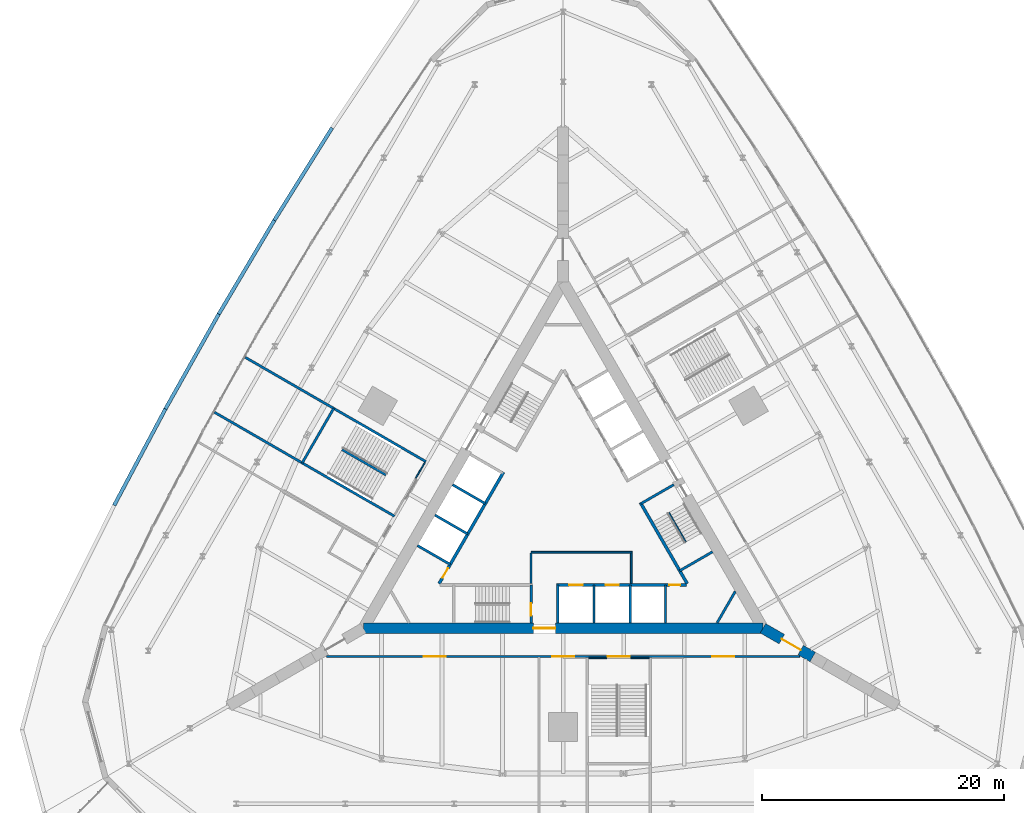
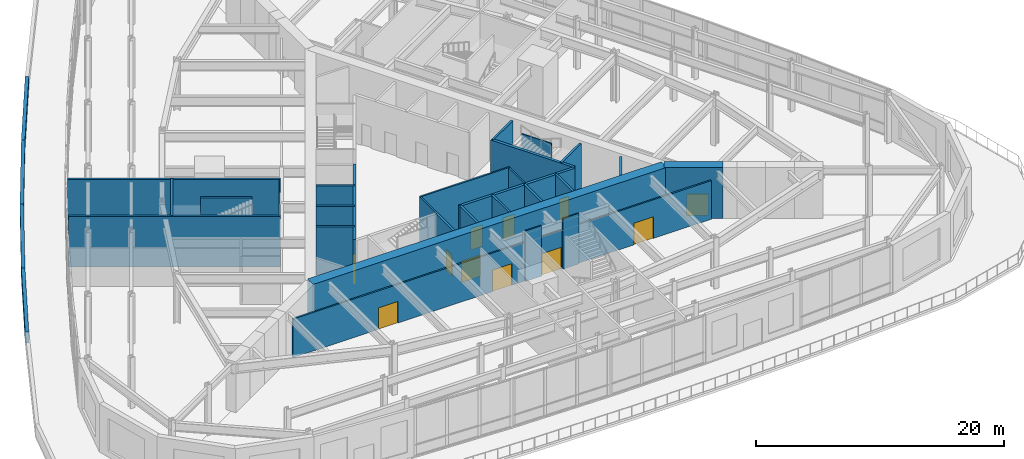
# One storey, part 13 of 20: 32 walls, 11 doors, 11 openings.
"""IFC4 building model written with IfcOpenShell, lengths in metres."""

from ifc_helpers import new_model, si_unit, direction, frame, frame_2d, origin, place, context, subcontext, project, spatial, rectangle, extrude, material, layer, layer_set, type_object, element, fill, save


model = new_model("IFC4")

# Units and contexts
model_context = context("Model", 3, precision=1e-05, world=origin(), true_north=direction((0.0, 1.0)))
body_context = subcontext(model_context, "Body", "Model", "MODEL_VIEW")
ifc_project = project(units=[si_unit("LENGTHUNIT", "METRE"), si_unit("AREAUNIT", "SQUARE_METRE"), si_unit("VOLUMEUNIT", "CUBIC_METRE"), si_unit("PLANEANGLEUNIT", "RADIAN"), si_unit("MASSUNIT", "GRAM", prefix="KILO")], contexts=[model_context])

# Site, building, storey
site_placement = place(None, origin())
site = spatial("IfcSite", under=ifc_project, at=site_placement, CompositionType="ELEMENT")
building_placement = place(site_placement, origin())
building = spatial("IfcBuilding", under=site, at=building_placement, Name="Trikona Tower", CompositionType="ELEMENT")
storey_placement = place(building_placement, frame((0.0, 0.0, 6.0)))
storey = spatial("IfcBuildingStorey", under=building, at=storey_placement, Name="L01", CompositionType="ELEMENT", Elevation=6.0)

# Wall, opening, door
ifc_material_1 = material(Name="Concrete f'c 10000 psi", Category="concrete")
ifc_layer_1 = layer(ifc_material_1, 0.89990234375)
ifc_layer_set_1 = layer_set([ifc_layer_1], Name="Buttress wall 900")
wall_type_1 = type_object("IfcWallType", Name="Buttress wall 900", PredefinedType="SHEAR", material=ifc_layer_set_1)
wall_1_placement = place(storey_placement, frame((16.5, -9.5263671875, 0.0), z_axis=(0.0, 0.0, 1.0), x_axis=(0.866031398331, -0.499989616998, 0.0)))
wall_1 = element("IfcWall", 1, at=wall_1_placement, inside=storey, type_object=wall_type_1, Name="Buttress wall 1", PredefinedType="SHEAR", context=body_context, shape_type="SweptSolid", body=[
    extrude(rectangle(XDim=4.74609375, YDim=0.89990234375, at=frame_2d((2.373046875, 0.0))), origin(), (0.0, 0.0, 1.0), 5.0),
])
opening_1_placement = place(wall_1_placement, frame((1.800048828125, 0.0, 0.0)))
opening_1 = element("IfcOpeningElement", 2, at=opening_1_placement, cuts=wall_1, Name="Opening D10", PredefinedType="OPENING", context=body_context, shape_type="SweptSolid", body=[
    extrude(rectangle(XDim=1.800048828125, YDim=2.1298828125, at=frame_2d((0.89990234375, 1.06494140625))), frame((0.0, 0.4599609375, 0.0), z_axis=(0.0, -1.0, 0.0), x_axis=(1.0, 0.0, 0.0)), (0.0, 0.0, 1.0), 0.919921875),
])
ifc_material_2 = material(Name="Hollow metal door and frame", Category="steel")
door_type_1 = type_object("IfcDoorType", Name="Cross-corridor door pair 1800x2130", OperationType="DOUBLE_DOOR_DOUBLE_SWING", PredefinedType="DOOR", material=ifc_material_2)
door_1_placement = place(opening_1_placement, origin())
door_1 = element("IfcDoor", 3, at=door_1_placement, inside=storey, type_object=door_type_1, Name="Cross-corridor door 1", OperationType="DOUBLE_DOOR_DOUBLE_SWING", OverallHeight=2.1298828125, OverallWidth=1.800048828125, PredefinedType="DOOR", context=body_context, shape_type="SweptSolid", body=[
    extrude(rectangle(XDim=1.800048828125, YDim=2.1298828125, at=frame_2d((0.89990234375, 1.06494140625))), frame((0.0, 0.02490234375, 0.0), z_axis=(0.0, -1.0, 0.0), x_axis=(1.0, 0.0, 0.0)), (0.0, 0.0, 1.0), 0.050048828125),
])
fill(opening_1, door_1)

ifc_material_3 = material(Name="Concrete f'c 10000 psi", Category="concrete")
ifc_layer_2 = layer(ifc_material_3, 0.89990234375)
ifc_layer_set_2 = layer_set([ifc_layer_2], Name="Core wall 900")
wall_type_2 = type_object("IfcWallType", Name="Core wall 900", PredefinedType="SHEAR", material=ifc_layer_set_2)
wall_2_placement = place(storey_placement, frame((-16.5, -9.5263671875, 0.0), z_axis=(0.0, 0.0, 1.0), x_axis=(1.0, 0.0, 0.0)))
wall_2 = element("IfcWall", 4, at=wall_2_placement, inside=storey, type_object=wall_type_2, Name="Core wall A", PredefinedType="SHEAR", context=body_context, shape_type="SweptSolid", body=[
    extrude(rectangle(XDim=33.0, YDim=0.89990234375, at=frame_2d((16.5, 0.0))), origin(), (0.0, 0.0, 1.0), 5.0),
])
opening_2_placement = place(wall_2_placement, frame((14.050048828125, 0.0, 0.0)))
opening_2 = element("IfcOpeningElement", 5, at=opening_2_placement, cuts=wall_2, Name="Opening D6", PredefinedType="OPENING", context=body_context, shape_type="SweptSolid", body=[
    extrude(rectangle(XDim=1.800048828125, YDim=2.1298828125, at=frame_2d((0.89990234375, 1.06494140625))), frame((0.0, 0.4599609375, 0.0), z_axis=(0.0, -1.0, 0.0), x_axis=(1.0, 0.0, 0.0)), (0.0, 0.0, 1.0), 0.919921875),
])
ifc_material_4 = material(Name="Hollow metal door and frame", Category="steel")
door_type_2 = type_object("IfcDoorType", Name="Lobby door pair 1800x2130", OperationType="DOUBLE_DOOR_SINGLE_SWING", PredefinedType="DOOR", material=ifc_material_4)
door_2_placement = place(opening_2_placement, origin())
door_2 = element("IfcDoor", 6, at=door_2_placement, inside=storey, type_object=door_type_2, Name="Fire service lift lobby door", OperationType="DOUBLE_DOOR_SINGLE_SWING", OverallHeight=2.1298828125, OverallWidth=1.800048828125, PredefinedType="DOOR", context=body_context, shape_type="SweptSolid", body=[
    extrude(rectangle(XDim=1.800048828125, YDim=2.1298828125, at=frame_2d((0.89990234375, 1.06494140625))), frame((0.0, 0.02490234375, 0.0), z_axis=(0.0, -1.0, 0.0), x_axis=(1.0, 0.0, 0.0)), (0.0, 0.0, 1.0), 0.050048828125),
])
fill(opening_2, door_2)

# Wall, openings, doors
ifc_material_5 = material(Name="Metal stud and gypsum board, 1-hour", Category="gypsum")
ifc_layer_3 = layer(ifc_material_5, 0.14990234375)
ifc_layer_set_3 = layer_set([ifc_layer_3], Name="Corridor wall 150")
wall_type_3 = type_object("IfcWallType", Name="Corridor wall 150", PredefinedType="PARTITIONING", material=ifc_layer_set_3)
wall_3_placement = place(storey_placement, frame((-19.527099609375, -11.851318359375, 0.0), z_axis=(0.0, 0.0, 1.0), x_axis=(1.0, 0.0, 0.0)))
wall_3 = element("IfcWall", 7, at=wall_3_placement, inside=storey, type_object=wall_type_3, Name="Corridor wall L01-1", PredefinedType="PARTITIONING", context=body_context, shape_type="SweptSolid", body=[
    extrude(rectangle(XDim=39.05419921875, YDim=0.14990234375, at=frame_2d((19.527099609375, 0.0))), origin(), (0.0, 0.0, 1.0), 3.8076171875),
])
opening_3_placement = place(wall_3_placement, frame((8.013427734375, 0.0, 0.0)))
opening_3 = element("IfcOpeningElement", 8, at=opening_3_placement, cuts=wall_3, Name="Opening D4", PredefinedType="OPENING", context=body_context, shape_type="SweptSolid", body=[
    extrude(rectangle(XDim=1.800048828125, YDim=2.1298828125, at=frame_2d((0.89990234375, 1.06494140625))), frame((0.0, 0.0849609375, 0.0), z_axis=(0.0, -1.0, 0.0), x_axis=(1.0, 0.0, 0.0)), (0.0, 0.0, 1.0), 0.169921875),
])
opening_4_placement = place(wall_3_placement, frame((18.626953125, 0.0, 0.0)))
opening_4 = element("IfcOpeningElement", 9, at=opening_4_placement, cuts=wall_3, Name="Opening D4", PredefinedType="OPENING", context=body_context, shape_type="SweptSolid", body=[
    extrude(rectangle(XDim=1.800048828125, YDim=2.1298828125, at=frame_2d((0.89990234375, 1.06494140625))), frame((0.0, 0.0849609375, 0.0), z_axis=(0.0, -1.0, 0.0), x_axis=(1.0, 0.0, 0.0)), (0.0, 0.0, 1.0), 0.169921875),
])
opening_5_placement = place(wall_3_placement, frame((23.22705078125, 0.0, 0.0)))
opening_5 = element("IfcOpeningElement", 10, at=opening_5_placement, cuts=wall_3, Name="Opening D11", PredefinedType="OPENING", context=body_context, shape_type="SweptSolid", body=[
    extrude(rectangle(XDim=1.800048828125, YDim=2.1298828125, at=frame_2d((0.89990234375, 1.06494140625))), frame((0.0, 0.0849609375, 0.0), z_axis=(0.0, -1.0, 0.0), x_axis=(1.0, 0.0, 0.0)), (0.0, 0.0, 1.0), 0.169921875),
])
opening_6_placement = place(wall_3_placement, frame((31.840576171875, 0.0, 0.0)))
opening_6 = element("IfcOpeningElement", 11, at=opening_6_placement, cuts=wall_3, Name="Opening D4", PredefinedType="OPENING", context=body_context, shape_type="SweptSolid", body=[
    extrude(rectangle(XDim=1.800048828125, YDim=2.1298828125, at=frame_2d((0.89990234375, 1.06494140625))), frame((0.0, 0.0849609375, 0.0), z_axis=(0.0, -1.0, 0.0), x_axis=(1.0, 0.0, 0.0)), (0.0, 0.0, 1.0), 0.169921875),
])
ifc_material_6 = material(Name="Steel door frame with solid-core timber leaf", Category="steel")
door_type_3 = type_object("IfcDoorType", Name="Assembly door pair 1800x2130", OperationType="DOUBLE_DOOR_SINGLE_SWING", PredefinedType="DOOR", material=ifc_material_6)
door_3_placement = place(opening_3_placement, origin())
door_3 = element("IfcDoor", 12, at=door_3_placement, inside=storey, type_object=door_type_3, Name="Door Restaurant and bar", OperationType="DOUBLE_DOOR_SINGLE_SWING", OverallHeight=2.1298828125, OverallWidth=1.800048828125, PredefinedType="DOOR", context=body_context, shape_type="SweptSolid", body=[
    extrude(rectangle(XDim=1.800048828125, YDim=2.1298828125, at=frame_2d((0.89990234375, 1.06494140625))), frame((0.0, 0.02490234375, 0.0), z_axis=(0.0, -1.0, 0.0), x_axis=(1.0, 0.0, 0.0)), (0.0, 0.0, 1.0), 0.050048828125),
])
fill(opening_3, door_3)
door_4_placement = place(opening_4_placement, origin())
door_4 = element("IfcDoor", 13, at=door_4_placement, inside=storey, type_object=door_type_3, Name="Door Back of house service area", OperationType="DOUBLE_DOOR_SINGLE_SWING", OverallHeight=2.1298828125, OverallWidth=1.800048828125, PredefinedType="DOOR", context=body_context, shape_type="SweptSolid", body=[
    extrude(rectangle(XDim=1.800048828125, YDim=2.1298828125, at=frame_2d((0.89990234375, 1.06494140625))), frame((0.0, 0.02490234375, 0.0), z_axis=(0.0, -1.0, 0.0), x_axis=(1.0, 0.0, 0.0)), (0.0, 0.0, 1.0), 0.050048828125),
])
fill(opening_4, door_4)
door_5_placement = place(opening_6_placement, origin())
door_5 = element("IfcDoor", 14, at=door_5_placement, inside=storey, type_object=door_type_3, Name="Door Hotel lounge", OperationType="DOUBLE_DOOR_SINGLE_SWING", OverallHeight=2.1298828125, OverallWidth=1.800048828125, PredefinedType="DOOR", context=body_context, shape_type="SweptSolid", body=[
    extrude(rectangle(XDim=1.800048828125, YDim=2.1298828125, at=frame_2d((0.89990234375, 1.06494140625))), frame((0.0, 0.02490234375, 0.0), z_axis=(0.0, -1.0, 0.0), x_axis=(1.0, 0.0, 0.0)), (0.0, 0.0, 1.0), 0.050048828125),
])
fill(opening_6, door_5)
ifc_material_7 = material(Name="Hollow metal door and frame", Category="steel")
door_type_4 = type_object("IfcDoorType", Name="Podium stair door 1800x2130", OperationType="DOUBLE_DOOR_SINGLE_SWING", PredefinedType="DOOR", material=ifc_material_7)
door_6_placement = place(opening_5_placement, origin())
door_6 = element("IfcDoor", 15, at=door_6_placement, inside=storey, type_object=door_type_4, Name="Stair door Podium stair PS1", OperationType="DOUBLE_DOOR_SINGLE_SWING", OverallHeight=2.1298828125, OverallWidth=1.800048828125, PredefinedType="DOOR", context=body_context, shape_type="SweptSolid", body=[
    extrude(rectangle(XDim=1.800048828125, YDim=2.1298828125, at=frame_2d((0.89990234375, 1.06494140625))), frame((0.0, 0.02490234375, 0.0), z_axis=(0.0, -1.0, 0.0), x_axis=(1.0, 0.0, 0.0)), (0.0, 0.0, 1.0), 0.050048828125),
])
fill(opening_5, door_6)

ifc_material_8 = material(Name="Concrete f'c 8000 psi", Category="concrete")
ifc_layer_4 = layer(ifc_material_8, 0.25)
ifc_layer_set_4 = layer_set([ifc_layer_4], Name="Hub wall 250")
wall_type_4 = type_object("IfcWallType", Name="Hub wall 250", PredefinedType="SOLIDWALL", material=ifc_layer_set_4)
wall_4_placement = place(storey_placement, frame((-0.550048828125, -5.951416015625, 0.0), z_axis=(0.0, 0.0, 1.0), x_axis=(1.0, 0.0, 0.0)))
wall_4 = element("IfcWall", 16, at=wall_4_placement, inside=storey, type_object=wall_type_4, Name="Lift lobby wall A2", PredefinedType="SOLIDWALL", context=body_context, shape_type="SweptSolid", body=[
    extrude(rectangle(XDim=10.73291015625, YDim=0.25, at=frame_2d((5.366455078125, 0.0))), origin(), (0.0, 0.0, 1.0), 4.75),
])
opening_7_placement = place(wall_4_placement, frame((9.31396484375, 0.0, 0.0)))
opening_7 = element("IfcOpeningElement", 17, at=opening_7_placement, cuts=wall_4, Name="Opening D14", PredefinedType="OPENING", context=body_context, shape_type="SweptSolid", body=[
    extrude(rectangle(XDim=0.89990234375, YDim=2.1298828125, at=frame_2d((0.449951171875, 1.06494140625))), frame((0.0, 0.135009765625, 0.0), z_axis=(0.0, -1.0, 0.0), x_axis=(1.0, 0.0, 0.0)), (0.0, 0.0, 1.0), 0.27001953125),
])
opening_8_placement = place(wall_4_placement, frame((1.050048828125, 0.0, 0.0)))
opening_8 = element("IfcOpeningElement", 18, at=opening_8_placement, cuts=wall_4, Name="Opening LD", PredefinedType="OPENING", context=body_context, shape_type="SweptSolid", body=[
    extrude(rectangle(XDim=1.10009765625, YDim=2.1298828125, at=frame_2d((0.550048828125, 1.06494140625))), frame((0.0, 0.135009765625, 0.0), z_axis=(0.0, -1.0, 0.0), x_axis=(1.0, 0.0, 0.0)), (0.0, 0.0, 1.0), 0.27001953125),
])
opening_9_placement = place(wall_4_placement, frame((4.050048828125, 0.0, 0.0)))
opening_9 = element("IfcOpeningElement", 19, at=opening_9_placement, cuts=wall_4, Name="Opening LD", PredefinedType="OPENING", context=body_context, shape_type="SweptSolid", body=[
    extrude(rectangle(XDim=1.10009765625, YDim=2.1298828125, at=frame_2d((0.550048828125, 1.06494140625))), frame((0.0, 0.135009765625, 0.0), z_axis=(0.0, -1.0, 0.0), x_axis=(1.0, 0.0, 0.0)), (0.0, 0.0, 1.0), 0.27001953125),
])
ifc_material_9 = material(Name="Stainless steel lift landing door", Category="steel")
door_type_5 = type_object("IfcDoorType", Name="Lift landing door 1100x2130", OperationType="DOUBLE_DOOR_SLIDING", PredefinedType="USERDEFINED", material=ifc_material_9)
door_7_placement = place(opening_8_placement, origin())
door_7 = element("IfcDoor", 20, at=door_7_placement, inside=storey, type_object=door_type_5, Name="Lift landing door FF1", ObjectType="LIFT LANDING DOOR", OperationType="DOUBLE_DOOR_SLIDING", OverallHeight=2.1298828125, OverallWidth=1.10009765625, PredefinedType="USERDEFINED", context=body_context, shape_type="SweptSolid", body=[
    extrude(rectangle(XDim=1.10009765625, YDim=2.1298828125, at=frame_2d((0.550048828125, 1.06494140625))), frame((0.0, 0.02490234375, 0.0), z_axis=(0.0, -1.0, 0.0), x_axis=(1.0, 0.0, 0.0)), (0.0, 0.0, 1.0), 0.050048828125),
])
fill(opening_8, door_7)
door_8_placement = place(opening_9_placement, origin())
door_8 = element("IfcDoor", 21, at=door_8_placement, inside=storey, type_object=door_type_5, Name="Lift landing door FF2", ObjectType="LIFT LANDING DOOR", OperationType="DOUBLE_DOOR_SLIDING", OverallHeight=2.1298828125, OverallWidth=1.10009765625, PredefinedType="USERDEFINED", context=body_context, shape_type="SweptSolid", body=[
    extrude(rectangle(XDim=1.10009765625, YDim=2.1298828125, at=frame_2d((0.550048828125, 1.06494140625))), frame((0.0, 0.02490234375, 0.0), z_axis=(0.0, -1.0, 0.0), x_axis=(1.0, 0.0, 0.0)), (0.0, 0.0, 1.0), 0.050048828125),
])
fill(opening_9, door_8)
ifc_material_10 = material(Name="Hollow metal door and frame", Category="steel")
door_type_6 = type_object("IfcDoorType", Name="Service room door 900x2130", OperationType="SINGLE_SWING_LEFT", PredefinedType="DOOR", material=ifc_material_10)
door_9_placement = place(opening_7_placement, origin())
door_9 = element("IfcDoor", 22, at=door_9_placement, inside=storey, type_object=door_type_6, Name="Door Cleaner's store CLN", OperationType="SINGLE_SWING_RIGHT", OverallHeight=2.1298828125, OverallWidth=0.89990234375, PredefinedType="DOOR", context=body_context, shape_type="SweptSolid", body=[
    extrude(rectangle(XDim=0.89990234375, YDim=2.1298828125, at=frame_2d((0.449951171875, 1.06494140625))), frame((0.0, 0.02490234375, 0.0), z_axis=(0.0, -1.0, 0.0), x_axis=(1.0, 0.0, 0.0)), (0.0, 0.0, 1.0), 0.050048828125),
])
fill(opening_7, door_9)

# Wall
wall_5_placement = place(storey_placement, frame((10.245361328125, -5.843017578125, 0.0), z_axis=(0.0, 0.0, 1.0), x_axis=(-0.499993009313, 0.866029439822, 0.0)))
element("IfcWall", 23, at=wall_5_placement, inside=storey, type_object=wall_type_4, Name="Lift lobby wall B1", PredefinedType="SOLIDWALL", context=body_context, shape_type="SweptSolid", body=[
    extrude(rectangle(XDim=7.73291015625, YDim=0.25, at=frame_2d((3.866455078125, 0.0))), origin(), (0.0, 0.0, 1.0), 4.75),
])

# Wall, opening, door
wall_6_placement = place(storey_placement, frame((-4.928955078125, 3.365478515625, 0.0), z_axis=(0.0, 0.0, 1.0), x_axis=(-0.499991433582, -0.866030349552, 0.0)))
wall_6 = element("IfcWall", 24, at=wall_6_placement, inside=storey, type_object=wall_type_4, Name="Lift lobby wall C2", PredefinedType="SOLIDWALL", context=body_context, shape_type="SweptSolid", body=[
    extrude(rectangle(XDim=10.633056640625, YDim=0.25, at=frame_2d((5.31640625, 0.0))), origin(), (0.0, 0.0, 1.0), 4.75),
])
opening_10_placement = place(wall_6_placement, frame((9.1640625, 0.0, 0.0)))
opening_10 = element("IfcOpeningElement", 25, at=opening_10_placement, cuts=wall_6, Name="Opening D14", PredefinedType="OPENING", context=body_context, shape_type="SweptSolid", body=[
    extrude(rectangle(XDim=0.89990234375, YDim=2.1298828125, at=frame_2d((0.449951171875, 1.06494140625))), frame((0.0, 0.135009765625, 0.0), z_axis=(0.0, -1.0, 0.0), x_axis=(1.0, 0.0, 0.0)), (0.0, 0.0, 1.0), 0.27001953125),
])
door_10_placement = place(opening_10_placement, origin())
door_10 = element("IfcDoor", 26, at=door_10_placement, inside=storey, type_object=door_type_6, Name="Door Electrical room ELR", OperationType="SINGLE_SWING_RIGHT", OverallHeight=2.1298828125, OverallWidth=0.89990234375, PredefinedType="DOOR", context=body_context, shape_type="SweptSolid", body=[
    extrude(rectangle(XDim=0.89990234375, YDim=2.1298828125, at=frame_2d((0.449951171875, 1.06494140625))), frame((0.0, 0.02490234375, 0.0), z_axis=(0.0, -1.0, 0.0), x_axis=(1.0, 0.0, 0.0)), (0.0, 0.0, 1.0), 0.050048828125),
])
fill(opening_10, door_10)

# Walls
ifc_material_11 = material(Name="Metal stud and gypsum board, 2-hour shaft wall", Category="gypsum")
ifc_layer_5 = layer(ifc_material_11, 0.14990234375)
ifc_layer_set_5 = layer_set([ifc_layer_5], Name="Lobby wall 150")
wall_type_5 = type_object("IfcWallType", Name="Lobby wall 150", PredefinedType="PARTITIONING", material=ifc_layer_set_5)
wall_7_placement = place(storey_placement, frame((-2.64990234375, -3.251220703125, 0.0), z_axis=(0.0, 0.0, 1.0), x_axis=(1.0, 0.0, 0.0)))
element("IfcWall", 27, at=wall_7_placement, inside=storey, type_object=wall_type_5, Name="Fire service lift lobby wall 1", PredefinedType="PARTITIONING", context=body_context, shape_type="SweptSolid", body=[
    extrude(rectangle(XDim=8.349853515625, YDim=0.14990234375, at=frame_2d((4.1748046875, 0.0))), origin(), (0.0, 0.0, 1.0), 4.75),
])
for number, where, z_axis, x_axis, name in (
    (28, (-2.64990234375, -5.826416015625, 0.0), (0.0, 0.0, 1.0), (0.0, 1.0, 0.0), "Fire service lift lobby wall 2"),
    (29, (5.625, -5.826416015625, 0.0), (0.0, 0.0, 1.0), (0.0, 1.0, 0.0), "Fire service lift lobby wall 3"),
):
    element("IfcWall", number, at=place(storey_placement, frame(where, z_axis=z_axis, x_axis=x_axis)), inside=storey, type_object=wall_type_5, Name=name, PredefinedType="PARTITIONING", context=body_context, shape_type="SweptSolid", body=[
        extrude(rectangle(XDim=2.5, YDim=0.14990234375, at=frame_2d((1.25, 0.0))), origin(), (0.0, 0.0, 1.0), 4.75),
    ])
ifc_material_12 = material(Name="Brick-faced precast concrete", Category="masonry")
ifc_layer_6 = layer(ifc_material_12, 0.300048828125)
ifc_layer_set_6 = layer_set([ifc_layer_6], Name="Parapet wall 300")
wall_type_6 = type_object("IfcWallType", Name="Parapet wall 300", PredefinedType="PARAPET", material=ifc_layer_set_6)
wall_8_placement = place(storey_placement, frame((-37.078369140625, 0.631103515625, 0.0), z_axis=(0.0, 0.0, 1.0), x_axis=(0.469540552861, 0.882910906728, 0.0)))
element("IfcWall", 30, at=wall_8_placement, inside=storey, type_object=wall_type_6, Name="Green roof parapet L01-1-04", PredefinedType="PARAPET", context=body_context, shape_type="SweptSolid", body=[
    extrude(rectangle(XDim=9.00146484375, YDim=0.300048828125, at=frame_2d((4.500732421875, 0.0))), origin(), (0.0, 0.0, 1.0), 1.10009765625),
])
wall_9_placement = place(storey_placement, frame((-32.851806640625, 8.57861328125, 0.0), z_axis=(0.0, 0.0, 1.0), x_axis=(0.489901755097, 0.871777649606, 0.0)))
element("IfcWall", 31, at=wall_9_placement, inside=storey, type_object=wall_type_6, Name="Green roof parapet L01-1-05", PredefinedType="PARAPET", context=body_context, shape_type="SweptSolid", body=[
    extrude(rectangle(XDim=8.9970703125, YDim=0.300048828125, at=frame_2d((4.49853515625, 0.0))), origin(), (0.0, 0.0, 1.0), 1.10009765625),
])
wall_10_placement = place(storey_placement, frame((-28.444091796875, 16.422119140625, 0.0), z_axis=(0.0, 0.0, 1.0), x_axis=(0.510031464151, 0.860155744953, 0.0)))
element("IfcWall", 32, at=wall_10_placement, inside=storey, type_object=wall_type_6, Name="Green roof parapet L01-1-06", PredefinedType="PARAPET", context=body_context, shape_type="SweptSolid", body=[
    extrude(rectangle(XDim=8.997314453125, YDim=0.300048828125, at=frame_2d((4.49853515625, 0.0))), origin(), (0.0, 0.0, 1.0), 1.10009765625),
])
wall_11_placement = place(storey_placement, frame((-23.855224609375, 24.1611328125, 0.0), z_axis=(0.0, 0.0, 1.0), x_axis=(0.529847781935, 0.848092759065, 0.0)))
element("IfcWall", 33, at=wall_11_placement, inside=storey, type_object=wall_type_6, Name="Green roof parapet L01-1-07", PredefinedType="PARAPET", context=body_context, shape_type="SweptSolid", body=[
    extrude(rectangle(XDim=9.001708984375, YDim=0.300048828125, at=frame_2d((4.5009765625, 0.0))), origin(), (0.0, 0.0, 1.0), 1.10009765625),
])
ifc_material_13 = material(Name="Concrete f'c 8000 psi", Category="concrete")
ifc_layer_7 = layer(ifc_material_13, 0.199951171875)
ifc_layer_set_7 = layer_set([ifc_layer_7], Name="Shaft wall 200")
wall_type_7 = type_object("IfcWallType", Name="Shaft wall 200", PredefinedType="SOLIDWALL", material=ifc_layer_set_7)
for number, where, z_axis, x_axis, name in (
    (34, (-0.449951171875, -5.951416015625, 0.0), (0.0, 0.0, 1.0), (0.0, -1.0, 0.0), "Shaft wall A3"),
    (35, (2.550048828125, -5.951416015625, 0.0), (0.0, 0.0, 1.0), (0.0, -1.0, 0.0), "Shaft wall A4"),
    (36, (5.550048828125, -5.951416015625, 0.0), (0.0, 0.0, 1.0), (0.0, -1.0, 0.0), "Shaft wall A5"),
    (37, (8.449951171875, -5.951416015625, 0.0), (0.0, 0.0, 1.0), (0.0, -1.0, 0.0), "Shaft wall A6"),
    (38, (-6.428955078125, 0.767333984375, 0.0), (0.0, 0.0, 1.0), (-0.866022959057, 0.500004234368, 0.0), "Shaft wall C4"),
    (39, (-7.87890625, -1.744140625, 0.0), (0.0, 0.0, 1.0), (-0.866022959057, 0.500004234368, 0.0), "Shaft wall C5"),
    (40, (-9.3291015625, -4.255615234375, 0.0), (0.0, 0.0, 1.0), (-0.866022959057, 0.500004234368, 0.0), "Shaft wall C6"),
):
    element("IfcWall", number, at=place(storey_placement, frame(where, z_axis=z_axis, x_axis=x_axis)), inside=storey, type_object=wall_type_7, Name=name, PredefinedType="SOLIDWALL", context=body_context, shape_type="SweptSolid", body=[
        extrude(rectangle(XDim=3.125, YDim=0.199951171875, at=frame_2d((1.5625, 0.0))), origin(), (0.0, 0.0, 1.0), 4.75),
    ])
wall_12_placement = place(storey_placement, frame((14.219482421875, -6.476318359375, 0.0), z_axis=(0.0, 0.0, 1.0), x_axis=(-0.499952404951, -0.866052881055, 0.0)))
element("IfcWall", 41, at=wall_12_placement, inside=storey, type_object=wall_type_7, Name="Riser wall L01-RS1", PredefinedType="SOLIDWALL", context=body_context, shape_type="SweptSolid", body=[
    extrude(rectangle(XDim=3.002197265625, YDim=0.199951171875, at=frame_2d((1.5009765625, 0.0))), origin(), (0.0, 0.0, 1.0), 4.75),
])

# Wall, opening, door
ifc_material_14 = material(Name="Concrete f'c 8000 psi", Category="concrete")
ifc_layer_8 = layer(ifc_material_14, 0.199951171875)
ifc_layer_set_8 = layer_set([ifc_layer_8], Name="Shaft wall 200 load-bearing")
wall_type_8 = type_object("IfcWallType", Name="Shaft wall 200 load-bearing", PredefinedType="SOLIDWALL", material=ifc_layer_set_8)
wall_13_placement = place(storey_placement, frame((-2.64990234375, -5.951416015625, 0.0), z_axis=(0.0, 0.0, 1.0), x_axis=(0.0, -1.0, 0.0)))
wall_13 = element("IfcWall", 42, at=wall_13_placement, inside=storey, type_object=wall_type_8, Name="Shaft wall A2", PredefinedType="SOLIDWALL", context=body_context, shape_type="SweptSolid", body=[
    extrude(rectangle(XDim=3.125, YDim=0.199951171875, at=frame_2d((1.5625, 0.0))), origin(), (0.0, 0.0, 1.0), 4.75),
])
opening_11_placement = place(wall_13_placement, frame((1.52490234375, 0.0, 0.0)))
opening_11 = element("IfcOpeningElement", 43, at=opening_11_placement, cuts=wall_13, Name="Opening D5", PredefinedType="OPENING", context=body_context, shape_type="SweptSolid", body=[
    extrude(rectangle(XDim=1.0, YDim=2.1298828125, at=frame_2d((0.5, 1.06494140625))), frame((0.0, 0.10986328125, 0.0), z_axis=(0.0, -1.0, 0.0), x_axis=(1.0, 0.0, 0.0)), (0.0, 0.0, 1.0), 0.219970703125),
])
ifc_material_15 = material(Name="Hollow metal door and frame", Category="steel")
door_type_7 = type_object("IfcDoorType", Name="Stair door 1000x2130", OperationType="SINGLE_SWING_LEFT", PredefinedType="DOOR", material=ifc_material_15)
door_11_placement = place(opening_11_placement, origin())
door_11 = element("IfcDoor", 44, at=door_11_placement, inside=storey, type_object=door_type_7, Name="Stair A door", OperationType="SINGLE_SWING_RIGHT", OverallHeight=2.1298828125, OverallWidth=1.0, PredefinedType="DOOR", context=body_context, shape_type="SweptSolid", body=[
    extrude(rectangle(XDim=1.0, YDim=2.1298828125, at=frame_2d((0.5, 1.06494140625))), frame((0.0, 0.02490234375, 0.0), z_axis=(0.0, -1.0, 0.0), x_axis=(1.0, 0.0, 0.0)), (0.0, 0.0, 1.0), 0.050048828125),
])
fill(opening_11, door_11)

# Walls
for number, where, z_axis, x_axis, name in (
    (45, (9.62890625, -4.775390625, 0.0), (0.0, 0.0, 1.0), (0.866022959057, 0.500004234368, 0.0), "Shaft wall B1"),
    (46, (6.428955078125, 0.767333984375, 0.0), (0.0, 0.0, 1.0), (0.866022959057, 0.500004234368, 0.0), "Shaft wall B2"),
):
    element("IfcWall", number, at=place(storey_placement, frame(where, z_axis=z_axis, x_axis=x_axis)), inside=storey, type_object=wall_type_8, Name=name, PredefinedType="SOLIDWALL", context=body_context, shape_type="SweptSolid", body=[
        extrude(rectangle(XDim=3.125, YDim=0.199951171875, at=frame_2d((1.5625, 0.0))), origin(), (0.0, 0.0, 1.0), 4.75),
    ])
ifc_material_16 = material(Name="Concrete f'c 6000 psi", Category="concrete")
ifc_layer_9 = layer(ifc_material_16, 0.10009765625)
ifc_layer_set_9 = layer_set([ifc_layer_9], Name="Stair enclosure wall 100")
wall_type_9 = type_object("IfcWallType", Name="Stair enclosure wall 100", PredefinedType="SOLIDWALL", material=ifc_layer_set_9)
for number, where, z_axis, x_axis, name in (
    (47, (2.10009765625, -11.976318359375, 0.0), (0.0, 0.0, 1.0), (1.0, 0.0, 0.0), "Podium stair PS1 end pier 1 L01"),
    (48, (5.60009765625, -11.976318359375, 0.0), (0.0, 0.0, 1.0), (1.0, 0.0, 0.0), "Podium stair PS1 end pier 2 L01"),
    (49, (-11.421875, 4.16943359375, 0.0), (0.0, 0.0, 1.0), (-0.499990139034, -0.866031096941, 0.0), "Podium stair PS3 end pier 1 L01"),
):
    element("IfcWall", number, at=place(storey_placement, frame(where, z_axis=z_axis, x_axis=x_axis)), inside=storey, type_object=wall_type_9, Name=name, PredefinedType="SOLIDWALL", context=body_context, shape_type="SweptSolid", body=[
        extrude(rectangle(XDim=1.5, YDim=0.10009765625, at=frame_2d((0.75, 0.0))), origin(), (0.0, 0.0, 1.0), 5.0),
    ])
ifc_material_17 = material(Name="Concrete f'c 6000 psi", Category="concrete")
ifc_layer_10 = layer(ifc_material_17, 0.199951171875)
ifc_layer_set_10 = layer_set([ifc_layer_10], Name="Stair enclosure wall 200")
wall_type_10 = type_object("IfcWallType", Name="Stair enclosure wall 200", PredefinedType="SHEAR", material=ifc_layer_set_10)
wall_14_placement = place(storey_placement, frame((-11.32861328125, 4.231201171875, 0.0), z_axis=(0.0, 0.0, 1.0), x_axis=(-0.86602660262, 0.49999792355, 0.0)))
element("IfcWall", 50, at=wall_14_placement, inside=storey, type_object=wall_type_10, Name="Stair enclosure L01 F3 u2", PredefinedType="SHEAR", context=body_context, shape_type="SweptSolid", body=[
    extrude(rectangle(XDim=17.23583984375, YDim=0.199951171875, at=frame_2d((8.617919921875, 0.0))), origin(), (0.0, 0.0, 1.0), 5.0),
])
wall_15_placement = place(storey_placement, frame((-13.928466796875, -0.272216796875, 0.0), z_axis=(0.0, 0.0, 1.0), x_axis=(-0.866023831254, 0.500002723692, 0.0)))
element("IfcWall", 51, at=wall_15_placement, inside=storey, type_object=wall_type_10, Name="Stair enclosure L01 F3 u7.2", PredefinedType="SHEAR", context=body_context, shape_type="SweptSolid", body=[
    extrude(rectangle(XDim=17.1669921875, YDim=0.199951171875, at=frame_2d((8.58349609375, 0.0))), origin(), (0.0, 0.0, 1.0), 5.0),
])
wall_16_placement = place(storey_placement, frame((-18.949462890625, 8.631103515625, 0.0), z_axis=(0.0, 0.0, 1.0), x_axis=(-0.500006934395, -0.866021400173, 0.0)))
element("IfcWall", 52, at=wall_16_placement, inside=storey, type_object=wall_type_10, Name="Podium stair PS3 end wall", PredefinedType="SHEAR", context=body_context, shape_type="SweptSolid", body=[
    extrude(rectangle(XDim=5.2001953125, YDim=0.199951171875, at=frame_2d((2.60009765625, 0.0))), origin(), (0.0, 0.0, 1.0), 5.0),
])
ifc_material_18 = material(Name="Concrete f'c 5000 psi", Category="concrete")
ifc_layer_11 = layer(ifc_material_18, 0.10009765625)
ifc_layer_set_11 = layer_set([ifc_layer_11], Name="Stair spine wall 100")
wall_type_11 = type_object("IfcWallType", Name="Stair spine wall 100", PredefinedType="SOLIDWALL", material=ifc_layer_set_11)
wall_17_placement = place(storey_placement, frame((10.134765625, -2.4013671875, 0.0), z_axis=(0.0, 0.0, 1.0), x_axis=(-0.499992232847, 0.866029888106, 0.0)))
element("IfcWall", 53, at=wall_17_placement, inside=storey, type_object=wall_type_11, Name="Stair B spine wall L01", PredefinedType="SOLIDWALL", context=body_context, shape_type="SweptSolid", body=[
    extrude(rectangle(XDim=2.7939453125, YDim=0.10009765625, at=frame_2d((1.39697265625, 0.0))), origin(), (0.0, 0.0, 1.0), 5.0),
])
ifc_material_19 = material(Name="Concrete f'c 5000 psi", Category="concrete")
ifc_layer_12 = layer(ifc_material_19, 0.2001953125)
ifc_layer_set_12 = layer_set([ifc_layer_12], Name="Stair spine wall 200")
wall_type_12 = type_object("IfcWallType", Name="Stair spine wall 200", PredefinedType="SOLIDWALL", material=ifc_layer_set_12)
wall_18_placement = place(storey_placement, frame((-14.622802734375, 3.130859375, 0.0), z_axis=(0.0, 0.0, 1.0), x_axis=(-0.866031452229, 0.49998952364, 0.0)))
element("IfcWall", 54, at=wall_18_placement, inside=storey, type_object=wall_type_12, Name="Podium stair PS3 spine wall L01", PredefinedType="SOLIDWALL", context=body_context, shape_type="SweptSolid", body=[
    extrude(rectangle(XDim=4.19384765625, YDim=0.199951171875, at=frame_2d((2.096923828125, 0.0))), origin(), (0.0, 0.0, 1.0), 5.0),
])

save(model, "model.ifc")
